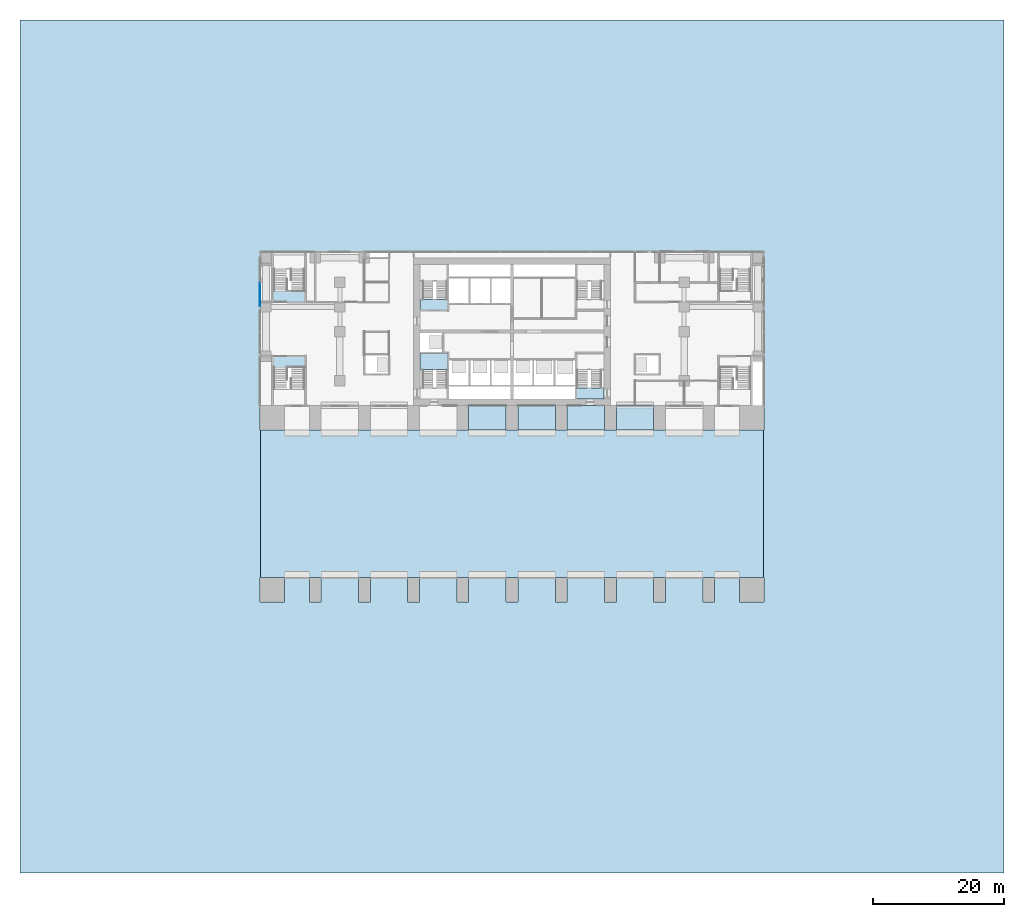
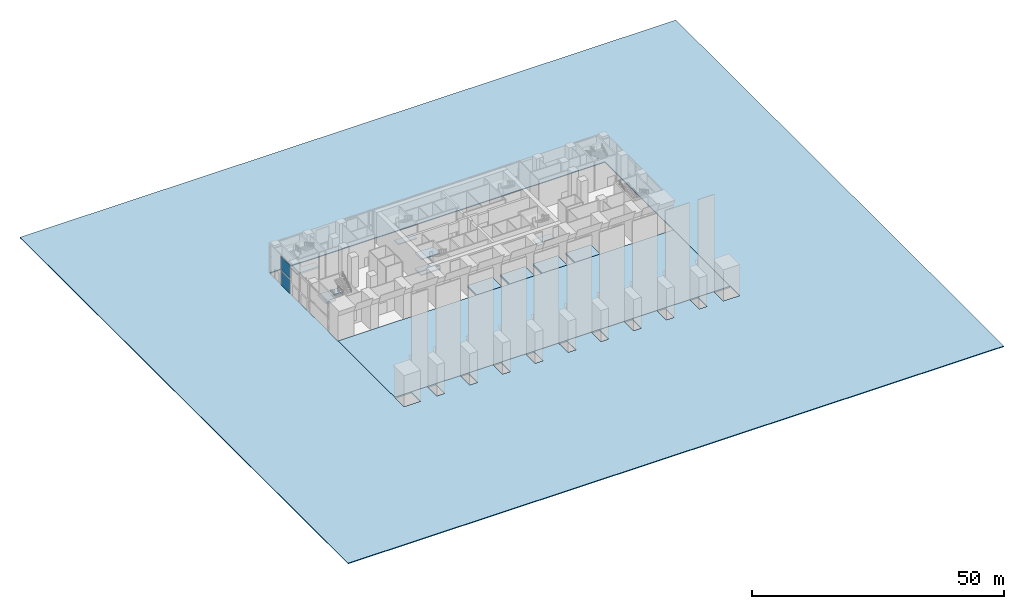
# One storey, part 7 of 21: 16 slabs, 2 plates, 7 elements without a shape of their own.
"""IFC4 building model written with IfcOpenShell, lengths in metres."""

from ifc_helpers import new_model, si_unit, direction, frame, origin, origin_2d, place, context, subcontext, project, spatial, polyline, rectangle, outline, extrude, material, layer, layer_set, type_object, element, aggregate, save


model = new_model("IFC4")

# Units and contexts
model_context = context("Model", 3, precision=1e-05, world=origin(), true_north=direction((0.0, 1.0)))
body_context = subcontext(model_context, "Body", "Model", "MODEL_VIEW")
ifc_project = project(units=[si_unit("LENGTHUNIT", "METRE"), si_unit("AREAUNIT", "SQUARE_METRE"), si_unit("VOLUMEUNIT", "CUBIC_METRE"), si_unit("PLANEANGLEUNIT", "RADIAN"), si_unit("MASSUNIT", "GRAM", prefix="KILO")], contexts=[model_context])

# Site, building, storey
site_placement = place(None, origin())
site = spatial("IfcSite", under=ifc_project, at=site_placement, CompositionType="ELEMENT")
building_placement = place(site_placement, origin())
building = spatial("IfcBuilding", under=site, at=building_placement, Name="Pilkhan Gate Tower", CompositionType="ELEMENT")
storey_placement = place(building_placement, origin())
storey = spatial("IfcBuildingStorey", under=building, at=storey_placement, Name="L00", CompositionType="ELEMENT", Elevation=0.0)

# Curtain wall, plate
ifc_material_1 = material(Name="Pale anodised aluminium, clear low-iron laminated glazing", Category="aluminium")
curtain_wall_type = type_object("IfcCurtainWallType", Name="Podium unitised curtain wall CW-P", PredefinedType="USERDEFINED", material=ifc_material_1)
curtain_wall_1_placement = place(storey_placement, origin())
curtain_wall_1 = element("IfcCurtainWall", 1, at=curtain_wall_1_placement, inside=storey, type_object=curtain_wall_type, Name="Podium unitised curtain wall CW-P L00 W", ObjectType="UNITISED CURTAIN WALL", PredefinedType="USERDEFINED")
ifc_material_2 = material(Name="Clear low-iron laminated glazing", Category="glass")
ifc_layer_1 = layer(ifc_material_2, 0.048095703125)
ifc_layer_set_1 = layer_set([ifc_layer_1], Name="Glass panel CW-P 48")
plate_type = type_object("IfcPlateType", Name="Glass panel CW-P 48", PredefinedType="CURTAIN_PANEL", material=ifc_layer_set_1)
plate_1_placement = place(storey_placement, frame((36.60498046875, 88.125, 0.0), z_axis=(0.0, 0.0, 1.0), x_axis=(0.0, 1.0, 0.0)))
plate_1 = element("IfcPlate", 2, at=plate_1_placement, type_object=plate_type, Name="CW-P panel 1", PredefinedType="CURTAIN_PANEL", context=body_context, shape_type="SweptSolid", body=[
    extrude(rectangle(XDim=3.590087890625, YDim=0.048095703125, at=origin_2d()), origin(), (0.0, 0.0, 1.0), 3.324951171875),
])
aggregate(curtain_wall_1, [plate_1])

curtain_wall_2_placement = place(storey_placement, origin())
curtain_wall_2 = element("IfcCurtainWall", 3, at=curtain_wall_2_placement, inside=storey, type_object=curtain_wall_type, Name="Podium unitised curtain wall CW-P L00 W", ObjectType="UNITISED CURTAIN WALL", PredefinedType="USERDEFINED")
plate_2_placement = place(storey_placement, frame((36.60498046875, 88.125, 3.5751953125), z_axis=(0.0, 0.0, 1.0), x_axis=(0.0, 1.0, 0.0)))
plate_2 = element("IfcPlate", 4, at=plate_2_placement, type_object=plate_type, Name="CW-P panel 1", PredefinedType="CURTAIN_PANEL", context=body_context, shape_type="SweptSolid", body=[
    extrude(rectangle(XDim=3.590087890625, YDim=0.048095703125, at=origin_2d()), origin(), (0.0, 0.0, 1.0), 3.324951171875),
])
aggregate(curtain_wall_2, [plate_2])

# Slabs
ifc_material_3 = material(Name="Concrete C40/50", Category="concrete")
ifc_layer_2 = layer(ifc_material_3, 0.35009765625)
ifc_layer_set_2 = layer_set([ifc_layer_2], Name="Niche deck slab ND350")
slab_type_1 = type_object("IfcSlabType", Name="Niche deck slab ND350", PredefinedType="FLOOR", material=ifc_layer_set_2)
slab_1_placement = place(storey_placement, frame((0.0, 0.0, -0.550048828125)))
element("IfcSlab", 5, at=slab_1_placement, inside=storey, type_object=slab_type_1, Name="Niche deck slab 5", PredefinedType="FLOOR", context=body_context, shape_type="SweptSolid", body=[
    extrude(outline(polyline([(68.39990234375, 67.5), (74.10009765625, 67.5), (74.10009765625, 71.25), (68.39990234375, 71.25), (68.39990234375, 67.5)])), origin(), (0.0, 0.0, 1.0), 0.35009765625),
])
slab_2_placement = place(storey_placement, frame((0.0, 0.0, -0.550048828125)))
element("IfcSlab", 6, at=slab_2_placement, inside=storey, type_object=slab_type_1, Name="Niche deck slab 6", PredefinedType="FLOOR", context=body_context, shape_type="SweptSolid", body=[
    extrude(outline(polyline([(75.89990234375, 67.5), (81.60009765625, 67.5), (81.60009765625, 71.25), (75.89990234375, 71.25), (75.89990234375, 67.5)])), origin(), (0.0, 0.0, 1.0), 0.35009765625),
])
slab_3_placement = place(storey_placement, frame((0.0, 0.0, -0.550048828125)))
element("IfcSlab", 7, at=slab_3_placement, inside=storey, type_object=slab_type_1, Name="Niche deck slab 7", PredefinedType="FLOOR", context=body_context, shape_type="SweptSolid", body=[
    extrude(outline(polyline([(83.39990234375, 67.5), (89.10009765625, 67.5), (89.10009765625, 71.25), (83.39990234375, 71.25), (83.39990234375, 67.5)])), origin(), (0.0, 0.0, 1.0), 0.35009765625),
])
slab_4_placement = place(storey_placement, frame((0.0, 0.0, -0.550048828125)))
element("IfcSlab", 8, at=slab_4_placement, inside=storey, type_object=slab_type_1, Name="Niche deck slab 8", PredefinedType="FLOOR", context=body_context, shape_type="SweptSolid", body=[
    extrude(outline(polyline([(90.89990234375, 67.5), (96.60009765625, 67.5), (96.60009765625, 71.25), (90.89990234375, 71.25), (90.89990234375, 67.5)])), origin(), (0.0, 0.0, 1.0), 0.35009765625),
])

# Stair, slab
ifc_material_4 = material(Name="Concrete C40/50 precast", Category="concrete")
stair_type_1 = type_object("IfcStairType", Name="Stair ST1 170x280", PredefinedType="HALF_TURN_STAIR", material=ifc_material_4)
stair_1_placement = place(storey_placement, origin())
stair_1 = element("IfcStair", 9, at=stair_1_placement, inside=storey, type_object=stair_type_1, Name="Stair ST1 L00", PredefinedType="HALF_TURN_STAIR")
ifc_layer_3 = layer(ifc_material_3, 0.199951171875)
ifc_layer_set_3 = layer_set([ifc_layer_3], Name="Stair landing SL200")
slab_type_2 = type_object("IfcSlabType", Name="Stair landing SL200", PredefinedType="LANDING", material=ifc_layer_set_3)
slab_5_placement = place(storey_placement, frame((0.0, 0.0, 3.550048828125)))
slab_5 = element("IfcSlab", 10, at=slab_5_placement, type_object=slab_type_2, Name="ST1 landing 2", PredefinedType="LANDING", context=body_context, shape_type="SweptSolid", body=[
    extrude(outline(polyline([(89.0, 72.25), (89.0, 73.89990234375), (84.75, 73.89990234375), (84.75, 72.25), (89.0, 72.25)])), origin(), (0.0, 0.0, 1.0), 0.199951171875),
])
aggregate(stair_1, [slab_5])

# Stair, slabs
stair_type_2 = type_object("IfcStairType", Name="Stair ST2 170x280", PredefinedType="HALF_TURN_STAIR", material=ifc_material_4)
stair_2_placement = place(storey_placement, origin())
stair_2 = element("IfcStair", 11, at=stair_2_placement, inside=storey, type_object=stair_type_2, Name="Stair ST2 L00", PredefinedType="HALF_TURN_STAIR")
slab_6_placement = place(storey_placement, frame((0.0, 0.0, 1.574951171875)))
slab_6 = element("IfcSlab", 12, at=slab_6_placement, type_object=slab_type_2, Name="ST2 landing 1", PredefinedType="LANDING", context=body_context, shape_type="SweptSolid", body=[
    extrude(outline(polyline([(65.25, 76.699951171875), (65.25, 79.25), (61.0, 79.25), (61.0, 76.699951171875), (65.25, 76.699951171875)])), origin(), (0.0, 0.0, 1.0), 0.300048828125),
])
slab_7_placement = place(storey_placement, frame((0.0, 0.0, 5.425048828125)))
slab_7 = element("IfcSlab", 13, at=slab_7_placement, type_object=slab_type_2, Name="ST2 landing 3", PredefinedType="LANDING", context=body_context, shape_type="SweptSolid", body=[
    extrude(outline(polyline([(65.25, 76.699951171875), (65.25, 79.25), (61.0, 79.25), (61.0, 76.699951171875), (65.25, 76.699951171875)])), origin(), (0.0, 0.0, 1.0), 0.199951171875),
])
aggregate(stair_2, [slab_6, slab_7])

# Stair, slab
stair_type_3 = type_object("IfcStairType", Name="Stair ST3 170x280", PredefinedType="HALF_TURN_STAIR", material=ifc_material_4)
stair_3_placement = place(storey_placement, origin())
stair_3 = element("IfcStair", 14, at=stair_3_placement, inside=storey, type_object=stair_type_3, Name="Stair ST3 L00", PredefinedType="HALF_TURN_STAIR")
slab_8_placement = place(storey_placement, frame((0.0, 0.0, 3.550048828125)))
slab_8 = element("IfcSlab", 15, at=slab_8_placement, type_object=slab_type_2, Name="ST3 landing 2", PredefinedType="LANDING", context=body_context, shape_type="SweptSolid", body=[
    extrude(outline(polyline([(65.25, 85.75), (65.25, 87.39990234375), (61.0, 87.39990234375), (61.0, 85.75), (65.25, 85.75)])), origin(), (0.0, 0.0, 1.0), 0.199951171875),
])
aggregate(stair_3, [slab_8])

stair_type_4 = type_object("IfcStairType", Name="Stair PS1 170x340", PredefinedType="HALF_TURN_STAIR", material=ifc_material_4)
stair_4_placement = place(storey_placement, origin())
stair_4 = element("IfcStair", 16, at=stair_4_placement, inside=storey, type_object=stair_type_4, Name="Stair PS1 L00", PredefinedType="HALF_TURN_STAIR")
ifc_layer_4 = layer(ifc_material_3, 0.35009765625)
ifc_layer_set_4 = layer_set([ifc_layer_4], Name="Stair landing SL350")
slab_type_3 = type_object("IfcSlabType", Name="Stair landing SL350", PredefinedType="LANDING", material=ifc_layer_set_4)
slab_9_placement = place(storey_placement, frame((0.0, 0.0, 3.39990234375)))
slab_9 = element("IfcSlab", 17, at=slab_9_placement, type_object=slab_type_3, Name="PS1 landing 2", PredefinedType="LANDING", context=body_context, shape_type="SweptSolid", body=[
    extrude(outline(polyline([(43.5, 88.650390625), (43.5, 87.0), (38.5, 87.0), (38.5, 88.64990234375), (38.5, 88.650390625), (38.5, 90.35009765625), (40.699951171875, 90.35009765625), (40.699951171875, 88.650390625), (43.5, 88.650390625)])), origin(), (0.0, 0.0, 1.0), 0.35009765625),
])
aggregate(stair_4, [slab_9])

stair_type_5 = type_object("IfcStairType", Name="Stair PS3 170x340", PredefinedType="HALF_TURN_STAIR", material=ifc_material_4)
stair_5_placement = place(storey_placement, origin())
stair_5 = element("IfcStair", 18, at=stair_5_placement, inside=storey, type_object=stair_type_5, Name="Stair PS3 L00", PredefinedType="HALF_TURN_STAIR")
slab_10_placement = place(storey_placement, frame((0.0, 0.0, 3.39990234375)))
slab_10 = element("IfcSlab", 19, at=slab_10_placement, type_object=slab_type_3, Name="PS3 landing 2", PredefinedType="LANDING", context=body_context, shape_type="SweptSolid", body=[
    extrude(outline(polyline([(43.5, 77.099609375), (43.5, 78.75), (38.5, 78.75), (38.5, 77.10009765625), (38.5, 77.099609375), (38.5, 75.39990234375), (40.699951171875, 75.39990234375), (40.699951171875, 77.099609375), (43.5, 77.099609375)])), origin(), (0.0, 0.0, 1.0), 0.35009765625),
])
aggregate(stair_5, [slab_10])

# Slabs
ifc_layer_5 = layer(ifc_material_3, 0.35009765625)
ifc_layer_set_5 = layer_set([ifc_layer_5], Name="Street deck slab SD350")
slab_type_4 = type_object("IfcSlabType", Name="Street deck slab SD350", PredefinedType="FLOOR", material=ifc_layer_set_5)
slab_11_placement = place(storey_placement, frame((0.0, 0.0, -0.35009765625)))
element("IfcSlab", 20, at=slab_11_placement, inside=storey, type_object=slab_type_4, Name="Street deck slab", PredefinedType="FLOOR", context=body_context, shape_type="SweptSolid", body=[
    extrude(outline(polyline([(36.64990234375, 45.0), (113.35009765625, 45.0), (113.35009765625, 67.5), (36.64990234375, 67.5), (36.64990234375, 45.0)])), origin(), (0.0, 0.0, 1.0), 0.35009765625),
])
ifc_material_5 = material(Name="Pale granite paving on compacted base", Category="masonry")
ifc_layer_6 = layer(ifc_material_5, 0.199951171875)
ifc_layer_set_6 = layer_set([ifc_layer_6], Name="Street paving PV200")
slab_type_5 = type_object("IfcSlabType", Name="Street paving PV200", PredefinedType="USERDEFINED", material=ifc_layer_set_6)
slab_12_placement = place(storey_placement, frame((0.0, 0.0, -0.199951171875)))
element("IfcSlab", 21, at=slab_12_placement, inside=storey, type_object=slab_type_5, Name="Street paving", ObjectType="PAVING", PredefinedType="USERDEFINED", context=body_context, shape_type="SweptSolid", body=[
    extrude(outline(polyline([(0.0, 0.0), (0.0, 130.0), (150.0, 130.0), (150.0, 0.0), (0.0, 0.0)]), holes=[polyline([(36.64990234375, 45.0), (36.60009765625, 45.0), (36.60009765625, 41.25), (40.35009765625, 41.25), (40.35009765625, 45.0), (44.10009765625, 45.0), (44.10009765625, 41.25), (45.89990234375, 41.25), (45.89990234375, 45.0), (51.60009765625, 45.0), (51.60009765625, 41.25), (53.39990234375, 41.25), (53.39990234375, 45.0), (59.10009765625, 45.0), (59.10009765625, 41.25), (60.89990234375, 41.25), (60.89990234375, 45.0), (66.60009765625, 45.0), (66.60009765625, 41.25), (68.39990234375, 41.25), (68.39990234375, 45.0), (74.10009765625, 45.0), (74.10009765625, 41.25), (75.89990234375, 41.25), (75.89990234375, 45.0), (81.60009765625, 45.0), (81.60009765625, 41.25), (83.39990234375, 41.25), (83.39990234375, 45.0), (89.10009765625, 45.0), (89.10009765625, 41.25), (90.89990234375, 41.25), (90.89990234375, 45.0), (96.60009765625, 45.0), (96.60009765625, 41.25), (98.39990234375, 41.25), (98.39990234375, 45.0), (104.10009765625, 45.0), (104.10009765625, 41.25), (105.89990234375, 41.25), (105.89990234375, 45.0), (109.64990234375, 45.0), (109.64990234375, 41.25), (113.39990234375, 41.25), (113.39990234375, 45.0), (113.35009765625, 45.0), (113.35009765625, 67.5), (113.39990234375, 67.5), (113.39990234375, 71.25), (113.35009765625, 71.25), (113.35009765625, 94.60009765625), (36.64990234375, 94.60009765625), (36.64990234375, 71.25), (36.60009765625, 71.25), (36.60009765625, 67.5), (36.64990234375, 67.5), (36.64990234375, 45.0)])]), origin(), (0.0, 0.0, 1.0), 0.199951171875),
])
slab_13_placement = place(storey_placement, frame((0.0, 0.0, -0.199951171875)))
element("IfcSlab", 22, at=slab_13_placement, inside=storey, type_object=slab_type_5, Name="Street paving", ObjectType="PAVING", PredefinedType="USERDEFINED", context=body_context, shape_type="SweptSolid", body=[
    extrude(outline(polyline([(96.60009765625, 71.25), (96.60009765625, 67.5), (90.89990234375, 67.5), (90.89990234375, 71.25), (96.60009765625, 71.25)])), origin(), (0.0, 0.0, 1.0), 0.199951171875),
])
slab_14_placement = place(storey_placement, frame((0.0, 0.0, -0.199951171875)))
element("IfcSlab", 23, at=slab_14_placement, inside=storey, type_object=slab_type_5, Name="Street paving", ObjectType="PAVING", PredefinedType="USERDEFINED", context=body_context, shape_type="SweptSolid", body=[
    extrude(outline(polyline([(89.10009765625, 71.25), (89.10009765625, 67.5), (83.39990234375, 67.5), (83.39990234375, 71.25), (89.10009765625, 71.25)])), origin(), (0.0, 0.0, 1.0), 0.199951171875),
])
slab_15_placement = place(storey_placement, frame((0.0, 0.0, -0.199951171875)))
element("IfcSlab", 24, at=slab_15_placement, inside=storey, type_object=slab_type_5, Name="Street paving", ObjectType="PAVING", PredefinedType="USERDEFINED", context=body_context, shape_type="SweptSolid", body=[
    extrude(outline(polyline([(81.60009765625, 71.25), (81.60009765625, 67.5), (75.89990234375, 67.5), (75.89990234375, 71.25), (81.60009765625, 71.25)])), origin(), (0.0, 0.0, 1.0), 0.199951171875),
])
slab_16_placement = place(storey_placement, frame((0.0, 0.0, -0.199951171875)))
element("IfcSlab", 25, at=slab_16_placement, inside=storey, type_object=slab_type_5, Name="Street paving", ObjectType="PAVING", PredefinedType="USERDEFINED", context=body_context, shape_type="SweptSolid", body=[
    extrude(outline(polyline([(74.10009765625, 71.25), (74.10009765625, 67.5), (68.39990234375, 67.5), (68.39990234375, 71.25), (74.10009765625, 71.25)])), origin(), (0.0, 0.0, 1.0), 0.199951171875),
])

save(model, "model.ifc")
